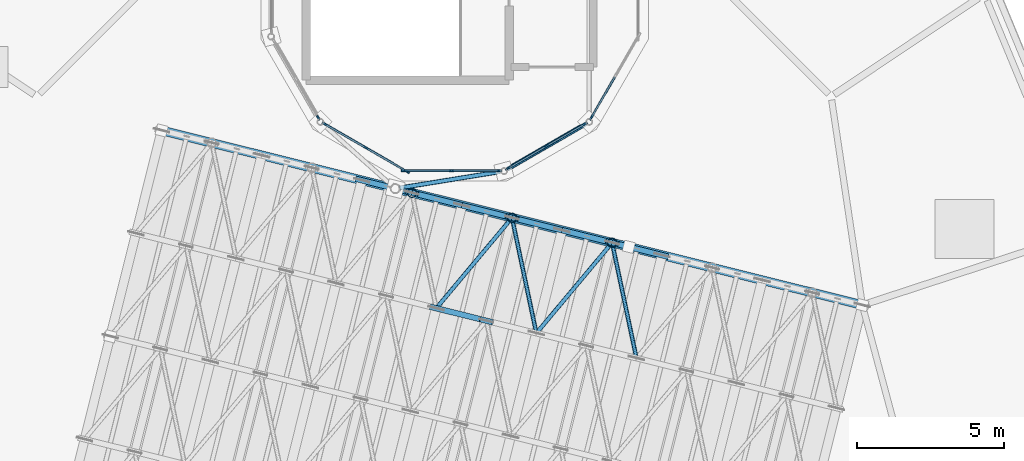
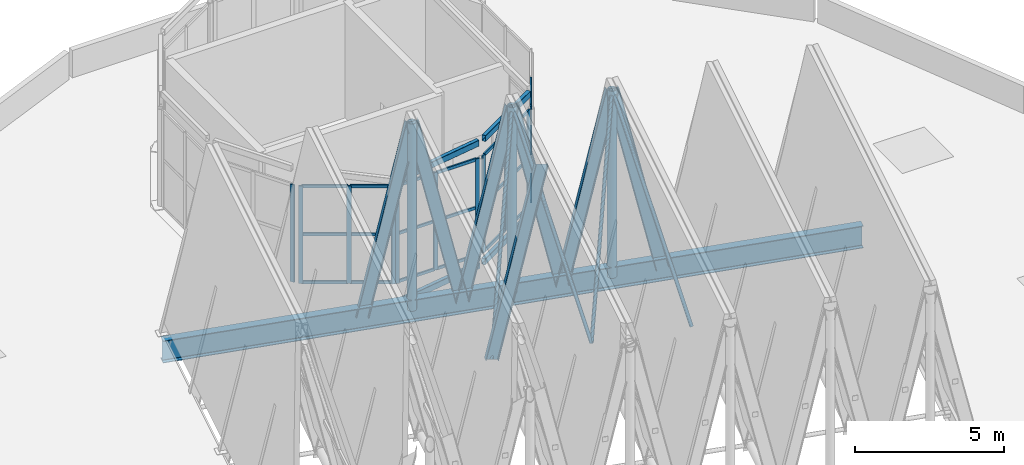
# One storey, part 13 of 51: 46 members, 5 beams, 5 elements without a shape of their own.
"""IFC4 building model written with IfcOpenShell, lengths in metres."""

from ifc_helpers import new_model, si_unit, direction, frame, origin, origin_2d, place, context, subcontext, project, spatial, rectangle, hollow_rectangle, hollow_circle, i_section, extrude, material, material_profile, profile_set, type_object, element, aggregate, save


model = new_model("IFC4")

# Units and contexts
model_context = context("Model", 3, precision=1e-05, world=origin(), true_north=direction((0.0, 1.0)))
body_context = subcontext(model_context, "Body", "Model", "MODEL_VIEW")
ifc_project = project(units=[si_unit("LENGTHUNIT", "METRE"), si_unit("AREAUNIT", "SQUARE_METRE"), si_unit("VOLUMEUNIT", "CUBIC_METRE"), si_unit("PLANEANGLEUNIT", "RADIAN"), si_unit("MASSUNIT", "GRAM", prefix="KILO")], contexts=[model_context])

# Site, building, storey
site_placement = place(None, origin())
site = spatial("IfcSite", under=ifc_project, at=site_placement, CompositionType="ELEMENT")
building_placement = place(site_placement, origin())
building = spatial("IfcBuilding", under=site, at=building_placement, Name="Wrenclough Park School", CompositionType="ELEMENT")
storey_placement = place(building_placement, frame((0.0, 0.0, 16.800048828125)))
storey = spatial("IfcBuildingStorey", under=building, at=storey_placement, Name="L04", CompositionType="ELEMENT", Elevation=16.800048828125)

# Curtain wall, member
ifc_material_1 = material(Name="Thermally broken aluminium and low-e glass curtain wall", Category="aluminium")
curtain_wall_type = type_object("IfcCurtainWallType", Name="ENV-CW-16", PredefinedType="USERDEFINED", material=ifc_material_1)
curtain_wall_1_placement = place(storey_placement, origin())
curtain_wall_1 = element("IfcCurtainWall", 1, at=curtain_wall_1_placement, inside=storey, type_object=curtain_wall_type, Name="D1-SH cylindrical white-glazed stair-head curtain wall 184", ObjectType="CURTAIN WALL", PredefinedType="USERDEFINED")
ifc_material_2 = material(Name="Thermally broken anodised aluminium", Category="aluminium")
ifc_material_profile_1 = material_profile(ifc_material_2, rectangle(XDim=0.06005859375, YDim=0.159912109375, at=origin_2d()), Name="AL MULLION 60x160")
ifc_profile_set_1 = profile_set([ifc_material_profile_1], Name="Thermally broken anodised aluminium")
member_type_1 = type_object("IfcMemberType", Name="ENV-CWM-1", PredefinedType="MULLION", material=ifc_profile_set_1)
member_1_placement = place(storey_placement, frame((151.572265625, 34.77880859375, 0.0), z_axis=(0.0, 0.0, 1.0), x_axis=(0.866023907196, 0.500002592159, 0.0)))
member_1 = element("IfcMember", 2, at=member_1_placement, type_object=member_type_1, Name="CW-16 mullion 3", PredefinedType="MULLION", context=body_context, shape_type="SweptSolid", body=[
    extrude(rectangle(XDim=0.06005859375, YDim=0.159912109375, at=origin_2d()), origin(), (0.0, 0.0, 1.0), 4.0),
])
aggregate(curtain_wall_1, [member_1])

# Curtain wall, members
curtain_wall_2_placement = place(storey_placement, origin())
curtain_wall_2 = element("IfcCurtainWall", 3, at=curtain_wall_2_placement, inside=storey, type_object=curtain_wall_type, Name="D1-SH cylindrical white-glazed stair-head curtain wall 185", ObjectType="CURTAIN WALL", PredefinedType="USERDEFINED")
member_2_placement = place(storey_placement, frame((151.77880859375, 34.572265625, 0.0), z_axis=(0.0, 0.0, 1.0), x_axis=(0.500014931062, 0.86601678316, 0.0)))
member_2 = element("IfcMember", 4, at=member_2_placement, type_object=member_type_1, Name="CW-16 mullion 1", PredefinedType="MULLION", context=body_context, shape_type="SweptSolid", body=[
    extrude(rectangle(XDim=0.06005859375, YDim=0.159912109375, at=origin_2d()), origin(), (0.0, 0.0, 1.0), 4.0),
])
member_3_placement = place(storey_placement, frame((153.183837890625, 33.760986328125, 0.0), z_axis=(0.0, 0.0, 1.0), x_axis=(0.500014931062, 0.86601678316, 0.0)))
member_3 = element("IfcMember", 5, at=member_3_placement, type_object=member_type_1, Name="CW-16 mullion 2", PredefinedType="MULLION", context=body_context, shape_type="SweptSolid", body=[
    extrude(rectangle(XDim=0.06005859375, YDim=0.159912109375, at=origin_2d()), origin(), (0.0, 0.0, 1.0), 4.0),
])
member_4_placement = place(storey_placement, frame((154.589111328125, 32.94970703125, 0.0), z_axis=(0.0, 0.0, 1.0), x_axis=(0.500014931062, 0.86601678316, 0.0)))
member_4 = element("IfcMember", 6, at=member_4_placement, type_object=member_type_1, Name="CW-16 mullion 3", PredefinedType="MULLION", context=body_context, shape_type="SweptSolid", body=[
    extrude(rectangle(XDim=0.06005859375, YDim=0.159912109375, at=origin_2d()), origin(), (0.0, 0.0, 1.0), 4.0),
])

curtain_wall_3_placement = place(storey_placement, origin())
curtain_wall_3 = element("IfcCurtainWall", 7, at=curtain_wall_3_placement, inside=storey, type_object=curtain_wall_type, Name="D1-SH cylindrical white-glazed stair-head curtain wall 186", ObjectType="CURTAIN WALL", PredefinedType="USERDEFINED")
member_5_placement = place(storey_placement, frame((154.469970703125, 32.981689453125, 0.0), z_axis=(0.0, 0.0, 1.0), x_axis=(0.0, 1.0, 0.0)))
member_5 = element("IfcMember", 8, at=member_5_placement, type_object=member_type_1, Name="CW-16 mullion 1", PredefinedType="MULLION", context=body_context, shape_type="SweptSolid", body=[
    extrude(rectangle(XDim=0.06005859375, YDim=0.159912109375, at=origin_2d()), origin(), (0.0, 0.0, 1.0), 4.0),
])
member_6_placement = place(storey_placement, frame((156.09228515625, 32.981689453125, 0.0), z_axis=(0.0, 0.0, 1.0), x_axis=(0.0, 1.0, 0.0)))
member_6 = element("IfcMember", 9, at=member_6_placement, type_object=member_type_1, Name="CW-16 mullion 2", PredefinedType="MULLION", context=body_context, shape_type="SweptSolid", body=[
    extrude(rectangle(XDim=0.06005859375, YDim=0.159912109375, at=origin_2d()), origin(), (0.0, 0.0, 1.0), 4.0),
])
member_7_placement = place(storey_placement, frame((157.714599609375, 32.981689453125, 0.0), z_axis=(0.0, 0.0, 1.0), x_axis=(0.0, 1.0, 0.0)))
member_7 = element("IfcMember", 10, at=member_7_placement, type_object=member_type_1, Name="CW-16 mullion 3", PredefinedType="MULLION", context=body_context, shape_type="SweptSolid", body=[
    extrude(rectangle(XDim=0.06005859375, YDim=0.159912109375, at=origin_2d()), origin(), (0.0, 0.0, 1.0), 4.0),
])

curtain_wall_4_placement = place(storey_placement, origin())
curtain_wall_4 = element("IfcCurtainWall", 11, at=curtain_wall_4_placement, inside=storey, type_object=curtain_wall_type, Name="D1-SH cylindrical white-glazed stair-head curtain wall 187", ObjectType="CURTAIN WALL", PredefinedType="USERDEFINED")
member_8_placement = place(storey_placement, frame((157.9970703125, 33.057373046875, 0.0), z_axis=(0.0, 0.0, 1.0), x_axis=(-0.500002592159, 0.866023907196, 0.0)))
member_8 = element("IfcMember", 12, at=member_8_placement, type_object=member_type_1, Name="CW-16 mullion 1", PredefinedType="MULLION", context=body_context, shape_type="SweptSolid", body=[
    extrude(rectangle(XDim=0.06005859375, YDim=0.159912109375, at=origin_2d()), origin(), (0.0, 0.0, 1.0), 4.0),
])
member_9_placement = place(storey_placement, frame((159.30908203125, 33.814697265625, 0.0), z_axis=(0.0, 0.0, 1.0), x_axis=(-0.500002592159, 0.866023907196, 0.0)))
member_9 = element("IfcMember", 13, at=member_9_placement, type_object=member_type_1, Name="CW-16 mullion 2", PredefinedType="MULLION", context=body_context, shape_type="SweptSolid", body=[
    extrude(rectangle(XDim=0.06005859375, YDim=0.159912109375, at=origin_2d()), origin(), (0.0, 0.0, 1.0), 4.0),
])
member_10_placement = place(storey_placement, frame((160.62109375, 34.572265625, 0.0), z_axis=(0.0, 0.0, 1.0), x_axis=(-0.500002592159, 0.866023907196, 0.0)))
member_10 = element("IfcMember", 14, at=member_10_placement, type_object=member_type_1, Name="CW-16 mullion 3", PredefinedType="MULLION", context=body_context, shape_type="SweptSolid", body=[
    extrude(rectangle(XDim=0.06005859375, YDim=0.159912109375, at=origin_2d()), origin(), (0.0, 0.0, 1.0), 4.0),
])

# Curtain wall, member
curtain_wall_5_placement = place(storey_placement, origin())
curtain_wall_5 = element("IfcCurtainWall", 15, at=curtain_wall_5_placement, inside=storey, type_object=curtain_wall_type, Name="D1-SH cylindrical white-glazed stair-head curtain wall 188", ObjectType="CURTAIN WALL", PredefinedType="USERDEFINED")
member_11_placement = place(storey_placement, frame((160.82763671875, 34.77880859375, 0.0), z_axis=(0.0, 0.0, 1.0), x_axis=(-0.86601678316, 0.500014931062, 0.0)))
member_11 = element("IfcMember", 16, at=member_11_placement, type_object=member_type_1, Name="CW-16 mullion 1", PredefinedType="MULLION", context=body_context, shape_type="SweptSolid", body=[
    extrude(rectangle(XDim=0.06005859375, YDim=0.159912109375, at=origin_2d()), origin(), (0.0, 0.0, 1.0), 4.0),
])

# Member
ifc_material_profile_2 = material_profile(ifc_material_2, rectangle(XDim=0.06005859375, YDim=0.1201171875, at=origin_2d()), Name="AL TRANSOM 60x120")
ifc_profile_set_2 = profile_set([ifc_material_profile_2], Name="Thermally broken anodised aluminium")
member_type_2 = type_object("IfcMemberType", Name="ENV-CWT-1", PredefinedType="USERDEFINED", material=ifc_profile_set_2)
member_12_placement = place(storey_placement, frame((151.804931640625, 34.557373046875, 0.030029296875), z_axis=(0.866003425329, -0.50003806587, 0.0), x_axis=(0.50003806587, 0.866003425329, 0.0)))
member_12 = element("IfcMember", 17, at=member_12_placement, type_object=member_type_2, Name="CW-16 transom 1.1", ObjectType="TRANSOM", PredefinedType="USERDEFINED", context=body_context, shape_type="SweptSolid", body=[
    extrude(rectangle(XDim=0.06005859375, YDim=0.1201171875, at=origin_2d()), origin(), (0.0, 0.0, 1.0), 1.5625),
])

member_13_placement = place(storey_placement, frame((151.804931640625, 34.557373046875, 2.0), z_axis=(0.866003425329, -0.50003806587, 0.0), x_axis=(0.50003806587, 0.866003425329, 0.0)))
member_13 = element("IfcMember", 18, at=member_13_placement, type_object=member_type_2, Name="CW-16 transom 1.2", ObjectType="TRANSOM", PredefinedType="USERDEFINED", context=body_context, shape_type="SweptSolid", body=[
    extrude(rectangle(XDim=0.06005859375, YDim=0.1201171875, at=origin_2d()), origin(), (0.0, 0.0, 1.0), 1.5625),
])

member_14_placement = place(storey_placement, frame((151.804931640625, 34.557373046875, 3.969970703125), z_axis=(0.866003425329, -0.50003806587, 0.0), x_axis=(0.50003806587, 0.866003425329, 0.0)))
member_14 = element("IfcMember", 19, at=member_14_placement, type_object=member_type_2, Name="CW-16 transom 1.3", ObjectType="TRANSOM", PredefinedType="USERDEFINED", context=body_context, shape_type="SweptSolid", body=[
    extrude(rectangle(XDim=0.06005859375, YDim=0.1201171875, at=origin_2d()), origin(), (0.0, 0.0, 1.0), 1.5625),
])

member_15_placement = place(storey_placement, frame((153.2099609375, 33.74609375, 0.030029296875), z_axis=(0.866003425329, -0.50003806587, 0.0), x_axis=(0.50003806587, 0.866003425329, 0.0)))
member_15 = element("IfcMember", 20, at=member_15_placement, type_object=member_type_2, Name="CW-16 transom 2.1", ObjectType="TRANSOM", PredefinedType="USERDEFINED", context=body_context, shape_type="SweptSolid", body=[
    extrude(rectangle(XDim=0.06005859375, YDim=0.1201171875, at=origin_2d()), origin(), (0.0, 0.0, 1.0), 1.5625),
])

member_16_placement = place(storey_placement, frame((153.2099609375, 33.74609375, 2.0), z_axis=(0.866003425329, -0.50003806587, 0.0), x_axis=(0.50003806587, 0.866003425329, 0.0)))
member_16 = element("IfcMember", 21, at=member_16_placement, type_object=member_type_2, Name="CW-16 transom 2.2", ObjectType="TRANSOM", PredefinedType="USERDEFINED", context=body_context, shape_type="SweptSolid", body=[
    extrude(rectangle(XDim=0.06005859375, YDim=0.1201171875, at=origin_2d()), origin(), (0.0, 0.0, 1.0), 1.5625),
])

member_17_placement = place(storey_placement, frame((153.2099609375, 33.74609375, 3.969970703125), z_axis=(0.866003425329, -0.50003806587, 0.0), x_axis=(0.50003806587, 0.866003425329, 0.0)))
member_17 = element("IfcMember", 22, at=member_17_placement, type_object=member_type_2, Name="CW-16 transom 2.3", ObjectType="TRANSOM", PredefinedType="USERDEFINED", context=body_context, shape_type="SweptSolid", body=[
    extrude(rectangle(XDim=0.06005859375, YDim=0.1201171875, at=origin_2d()), origin(), (0.0, 0.0, 1.0), 1.5625),
])

aggregate(curtain_wall_2, [member_2, member_3, member_4, member_12, member_13, member_14, member_15, member_16, member_17])

member_18_placement = place(storey_placement, frame((154.5, 32.981689453125, 0.030029296875), z_axis=(1.0, 0.0, 0.0), x_axis=(0.0, 1.0, 0.0)))
member_18 = element("IfcMember", 23, at=member_18_placement, type_object=member_type_2, Name="CW-16 transom 1.1", ObjectType="TRANSOM", PredefinedType="USERDEFINED", context=body_context, shape_type="SweptSolid", body=[
    extrude(rectangle(XDim=0.06005859375, YDim=0.1201171875, at=origin_2d()), origin(), (0.0, 0.0, 1.0), 1.562255859375),
])

member_19_placement = place(storey_placement, frame((154.5, 32.981689453125, 2.0), z_axis=(1.0, 0.0, 0.0), x_axis=(0.0, 1.0, 0.0)))
member_19 = element("IfcMember", 24, at=member_19_placement, type_object=member_type_2, Name="CW-16 transom 1.2", ObjectType="TRANSOM", PredefinedType="USERDEFINED", context=body_context, shape_type="SweptSolid", body=[
    extrude(rectangle(XDim=0.06005859375, YDim=0.1201171875, at=origin_2d()), origin(), (0.0, 0.0, 1.0), 1.562255859375),
])

member_20_placement = place(storey_placement, frame((154.5, 32.981689453125, 3.969970703125), z_axis=(1.0, 0.0, 0.0), x_axis=(0.0, 1.0, 0.0)))
member_20 = element("IfcMember", 25, at=member_20_placement, type_object=member_type_2, Name="CW-16 transom 1.3", ObjectType="TRANSOM", PredefinedType="USERDEFINED", context=body_context, shape_type="SweptSolid", body=[
    extrude(rectangle(XDim=0.06005859375, YDim=0.1201171875, at=origin_2d()), origin(), (0.0, 0.0, 1.0), 1.562255859375),
])

member_21_placement = place(storey_placement, frame((156.122314453125, 32.981689453125, 0.030029296875), z_axis=(1.0, 0.0, 0.0), x_axis=(0.0, 1.0, 0.0)))
member_21 = element("IfcMember", 26, at=member_21_placement, type_object=member_type_2, Name="CW-16 transom 2.1", ObjectType="TRANSOM", PredefinedType="USERDEFINED", context=body_context, shape_type="SweptSolid", body=[
    extrude(rectangle(XDim=0.06005859375, YDim=0.1201171875, at=origin_2d()), origin(), (0.0, 0.0, 1.0), 1.562255859375),
])

member_22_placement = place(storey_placement, frame((156.122314453125, 32.981689453125, 2.0), z_axis=(1.0, 0.0, 0.0), x_axis=(0.0, 1.0, 0.0)))
member_22 = element("IfcMember", 27, at=member_22_placement, type_object=member_type_2, Name="CW-16 transom 2.2", ObjectType="TRANSOM", PredefinedType="USERDEFINED", context=body_context, shape_type="SweptSolid", body=[
    extrude(rectangle(XDim=0.06005859375, YDim=0.1201171875, at=origin_2d()), origin(), (0.0, 0.0, 1.0), 1.562255859375),
])

member_23_placement = place(storey_placement, frame((156.122314453125, 32.981689453125, 3.969970703125), z_axis=(1.0, 0.0, 0.0), x_axis=(0.0, 1.0, 0.0)))
member_23 = element("IfcMember", 28, at=member_23_placement, type_object=member_type_2, Name="CW-16 transom 2.3", ObjectType="TRANSOM", PredefinedType="USERDEFINED", context=body_context, shape_type="SweptSolid", body=[
    extrude(rectangle(XDim=0.06005859375, YDim=0.1201171875, at=origin_2d()), origin(), (0.0, 0.0, 1.0), 1.562255859375),
])

aggregate(curtain_wall_3, [member_5, member_6, member_7, member_18, member_19, member_20, member_21, member_22, member_23])

member_24_placement = place(storey_placement, frame((158.02294921875, 33.072265625, 0.030029296875), z_axis=(0.866045896294, 0.499964504253, 0.0), x_axis=(-0.499964504253, 0.866045896294, 0.0)))
member_24 = element("IfcMember", 29, at=member_24_placement, type_object=member_type_2, Name="CW-16 transom 1.1", ObjectType="TRANSOM", PredefinedType="USERDEFINED", context=body_context, shape_type="SweptSolid", body=[
    extrude(rectangle(XDim=0.06005859375, YDim=0.1201171875, at=origin_2d()), origin(), (0.0, 0.0, 1.0), 1.455078125),
])

member_25_placement = place(storey_placement, frame((158.02294921875, 33.072265625, 2.0), z_axis=(0.866045896294, 0.499964504253, 0.0), x_axis=(-0.499964504253, 0.866045896294, 0.0)))
member_25 = element("IfcMember", 30, at=member_25_placement, type_object=member_type_2, Name="CW-16 transom 1.2", ObjectType="TRANSOM", PredefinedType="USERDEFINED", context=body_context, shape_type="SweptSolid", body=[
    extrude(rectangle(XDim=0.06005859375, YDim=0.1201171875, at=origin_2d()), origin(), (0.0, 0.0, 1.0), 1.455078125),
])

member_26_placement = place(storey_placement, frame((158.02294921875, 33.072265625, 3.969970703125), z_axis=(0.866045896294, 0.499964504253, 0.0), x_axis=(-0.499964504253, 0.866045896294, 0.0)))
member_26 = element("IfcMember", 31, at=member_26_placement, type_object=member_type_2, Name="CW-16 transom 1.3", ObjectType="TRANSOM", PredefinedType="USERDEFINED", context=body_context, shape_type="SweptSolid", body=[
    extrude(rectangle(XDim=0.06005859375, YDim=0.1201171875, at=origin_2d()), origin(), (0.0, 0.0, 1.0), 1.455078125),
])

member_27_placement = place(storey_placement, frame((159.3349609375, 33.829833984375, 0.030029296875), z_axis=(0.866045896294, 0.499964504253, 0.0), x_axis=(-0.499964504253, 0.866045896294, 0.0)))
member_27 = element("IfcMember", 32, at=member_27_placement, type_object=member_type_2, Name="CW-16 transom 2.1", ObjectType="TRANSOM", PredefinedType="USERDEFINED", context=body_context, shape_type="SweptSolid", body=[
    extrude(rectangle(XDim=0.06005859375, YDim=0.1201171875, at=origin_2d()), origin(), (0.0, 0.0, 1.0), 1.455078125),
])

member_28_placement = place(storey_placement, frame((159.3349609375, 33.829833984375, 2.0), z_axis=(0.866045896294, 0.499964504253, 0.0), x_axis=(-0.499964504253, 0.866045896294, 0.0)))
member_28 = element("IfcMember", 33, at=member_28_placement, type_object=member_type_2, Name="CW-16 transom 2.2", ObjectType="TRANSOM", PredefinedType="USERDEFINED", context=body_context, shape_type="SweptSolid", body=[
    extrude(rectangle(XDim=0.06005859375, YDim=0.1201171875, at=origin_2d()), origin(), (0.0, 0.0, 1.0), 1.455078125),
])

member_29_placement = place(storey_placement, frame((159.3349609375, 33.829833984375, 3.969970703125), z_axis=(0.866045896294, 0.499964504253, 0.0), x_axis=(-0.499964504253, 0.866045896294, 0.0)))
member_29 = element("IfcMember", 34, at=member_29_placement, type_object=member_type_2, Name="CW-16 transom 2.3", ObjectType="TRANSOM", PredefinedType="USERDEFINED", context=body_context, shape_type="SweptSolid", body=[
    extrude(rectangle(XDim=0.06005859375, YDim=0.1201171875, at=origin_2d()), origin(), (0.0, 0.0, 1.0), 1.455078125),
])

aggregate(curtain_wall_4, [member_8, member_9, member_10, member_24, member_25, member_26, member_27, member_28, member_29])

member_30_placement = place(storey_placement, frame((160.8427734375, 34.804931640625, 0.030029296875), z_axis=(0.50003806587, 0.866003425329, 0.0), x_axis=(-0.866003425329, 0.50003806587, 0.0)))
member_30 = element("IfcMember", 35, at=member_30_placement, type_object=member_type_2, Name="CW-16 transom 1.1", ObjectType="TRANSOM", PredefinedType="USERDEFINED", context=body_context, shape_type="SweptSolid", body=[
    extrude(rectangle(XDim=0.06005859375, YDim=0.1201171875, at=origin_2d()), origin(), (0.0, 0.0, 1.0), 1.5625),
])

member_31_placement = place(storey_placement, frame((160.8427734375, 34.804931640625, 2.0), z_axis=(0.50003806587, 0.866003425329, 0.0), x_axis=(-0.866003425329, 0.50003806587, 0.0)))
member_31 = element("IfcMember", 36, at=member_31_placement, type_object=member_type_2, Name="CW-16 transom 1.2", ObjectType="TRANSOM", PredefinedType="USERDEFINED", context=body_context, shape_type="SweptSolid", body=[
    extrude(rectangle(XDim=0.06005859375, YDim=0.1201171875, at=origin_2d()), origin(), (0.0, 0.0, 1.0), 1.5625),
])

member_32_placement = place(storey_placement, frame((160.8427734375, 34.804931640625, 3.969970703125), z_axis=(0.50003806587, 0.866003425329, 0.0), x_axis=(-0.866003425329, 0.50003806587, 0.0)))
member_32 = element("IfcMember", 37, at=member_32_placement, type_object=member_type_2, Name="CW-16 transom 1.3", ObjectType="TRANSOM", PredefinedType="USERDEFINED", context=body_context, shape_type="SweptSolid", body=[
    extrude(rectangle(XDim=0.06005859375, YDim=0.1201171875, at=origin_2d()), origin(), (0.0, 0.0, 1.0), 1.5625),
])

aggregate(curtain_wall_5, [member_11, member_30, member_31, member_32])

# Beams
ifc_material_3 = material(Name="Structural steel S355", Category="steel")
ifc_material_profile_3 = material_profile(ifc_material_3, hollow_rectangle(XDim=0.14990234375, YDim=0.25, WallThickness=0.010009765625, InnerFilletRadius=0.010009765625, OuterFilletRadius=0.014892578125, at=origin_2d()), Name="RHS 250x150x10.0")
ifc_profile_set_3 = profile_set([ifc_material_profile_3], Name="Structural steel S355")
beam_type_1 = type_object("IfcBeamType", Name="STR-BM-RHS250", PredefinedType="SPANDREL", material=ifc_profile_set_3)
beam_1_placement = place(storey_placement, frame((154.333251953125, 32.398681640625, -0.364990234375), z_axis=(0.987203782814, 0.159463761392, 0.0), x_axis=(-0.159463761392, 0.987203782814, 0.0)))
element("IfcBeam", 38, at=beam_1_placement, inside=storey, type_object=beam_type_1, Name="D1-SH L04 cylindrical ring beam 8", PredefinedType="SPANDREL", context=body_context, shape_type="SweptSolid", body=[
    extrude(hollow_rectangle(XDim=0.14990234375, YDim=0.25, WallThickness=0.010009765625, InnerFilletRadius=0.010009765625, OuterFilletRadius=0.014892578125, at=origin_2d()), origin(), (0.0, 0.0, 1.0), 3.450927734375),
])
beam_2_placement = place(storey_placement, frame((154.337890625, 32.3994140625, 4.679931640625), z_axis=(0.987204140673, 0.159461545953, 0.0), x_axis=(-0.159461545953, 0.987204140673, 0.0)))
element("IfcBeam", 39, at=beam_2_placement, inside=storey, type_object=beam_type_1, Name="D1-SH L05 top cylindrical eave ring beam 8", PredefinedType="SPANDREL", context=body_context, shape_type="SweptSolid", body=[
    extrude(hollow_rectangle(XDim=0.14990234375, YDim=0.25, WallThickness=0.010009765625, InnerFilletRadius=0.010009765625, OuterFilletRadius=0.014892578125, at=origin_2d()), origin(), (0.0, 0.0, 1.0), 3.417236328125),
])
beam_3_placement = place(storey_placement, frame((157.98291015625, 33.035400390625, -0.364990234375), z_axis=(0.866012465712, 0.500022408728, 0.0), x_axis=(-0.500022408728, 0.866012465712, 0.0)))
element("IfcBeam", 40, at=beam_3_placement, inside=storey, type_object=beam_type_1, Name="D1-SH L04 cylindrical ring beam 9", PredefinedType="SPANDREL", context=body_context, shape_type="SweptSolid", body=[
    extrude(hollow_rectangle(XDim=0.14990234375, YDim=0.25, WallThickness=0.010009765625, InnerFilletRadius=0.010009765625, OuterFilletRadius=0.014892578125, at=origin_2d()), origin(), (0.0, 0.0, 1.0), 3.076416015625),
])
beam_4_placement = place(storey_placement, frame((158.008056640625, 33.0498046875, 4.679931640625), z_axis=(0.8660347431, 0.499983823482, 0.0), x_axis=(-0.499983823482, 0.8660347431, 0.0)))
element("IfcBeam", 41, at=beam_4_placement, inside=storey, type_object=beam_type_1, Name="D1-SH L05 top cylindrical eave ring beam 9", PredefinedType="SPANDREL", context=body_context, shape_type="SweptSolid", body=[
    extrude(hollow_rectangle(XDim=0.14990234375, YDim=0.25, WallThickness=0.010009765625, InnerFilletRadius=0.010009765625, OuterFilletRadius=0.014892578125, at=origin_2d()), origin(), (0.0, 0.0, 1.0), 3.0185546875),
])
ifc_material_profile_4 = material_profile(ifc_material_3, i_section(OverallWidth=0.30419921875, OverallDepth=0.910400390625, WebThickness=0.015869140625, FlangeThickness=0.02392578125, FilletRadius=0.01904296875, at=origin_2d()), Name="UKB 914x305x224")
ifc_profile_set_4 = profile_set([ifc_material_profile_4], Name="Structural steel S355")
beam_type_2 = type_object("IfcBeamType", Name="STR-BM-UKB914", PredefinedType="BEAM", material=ifc_profile_set_4)
beam_5_placement = place(storey_placement, frame((170.028076171875, 28.422607421875, -0.68017578125), z_axis=(-0.97029705088, 0.241916582839, 0.0), x_axis=(-0.241916582839, -0.97029705088, 0.0)))
element("IfcBeam", 42, at=beam_5_placement, inside=storey, type_object=beam_type_2, Name="D1 folded-plate roof ring beam 3", PredefinedType="BEAM", context=body_context, shape_type="SweptSolid", body=[
    extrude(i_section(OverallWidth=0.30419921875, OverallDepth=0.910400390625, WebThickness=0.015869140625, FlangeThickness=0.02392578125, FilletRadius=0.01904296875, at=origin_2d()), origin(), (0.0, 0.0, 1.0), 24.500244140625),
])

# Members
ifc_material_profile_5 = material_profile(ifc_material_3, hollow_circle(Radius=0.06982421875, WallThickness=0.008056640625, at=origin_2d()), Name="CHS 139.7x8.0")
ifc_profile_set_5 = profile_set([ifc_material_profile_5], Name="Structural steel S355")
member_type_3 = type_object("IfcMemberType", Name="STR-MEM-BRACE1", PredefinedType="BRACE", material=ifc_profile_set_5)
for number, where, z_axis, x_axis, name in (
    (43, (155.572998046875, 28.31640625, -0.68017578125), (0.296538189213, 0.35434087179, 0.886852664718), (-0.766884728376, 0.641784865344, 0.0), "D1 folded-plane diagonal brace 4.4L"),
    (44, (158.968994140625, 27.4697265625, -0.68017578125), (-0.095482951878, 0.452078521568, 0.88685287181), (-0.978414967241, -0.206649829126, 0.0), "D1 folded-plane diagonal brace 4.4R"),
    (45, (158.968994140625, 27.4697265625, -0.68017578125), (0.296538189213, 0.35434087179, 0.886852664718), (-0.766884728376, 0.641784865344, 0.0), "D1 folded-plane diagonal brace 5.4L"),
    (46, (162.364990234375, 26.623046875, -0.68017578125), (-0.095482951878, 0.452078521568, 0.88685287181), (-0.978414967241, -0.206649829126, 0.0), "D1 folded-plane diagonal brace 5.4R"),
):
    element("IfcMember", number, at=place(storey_placement, frame(where, z_axis=z_axis, x_axis=x_axis)), inside=storey, type_object=member_type_3, Name=name, PredefinedType="BRACE", context=body_context, shape_type="SweptSolid", body=[
        extrude(hollow_circle(Radius=0.06982421875, WallThickness=0.008056640625, at=origin_2d()), origin(), (0.0, 0.0, 1.0), 8.662841796875),
    ])
ifc_material_profile_6 = material_profile(ifc_material_3, hollow_circle(Radius=0.161865234375, WallThickness=0.01611328125, at=origin_2d()), Name="CHS 323.9x16.0")
ifc_profile_set_6 = profile_set([ifc_material_profile_6], Name="Structural steel S355")
member_type_4 = type_object("IfcMemberType", Name="STR-MEM-CHORD2", PredefinedType="CHORD", material=ifc_profile_set_6)
for number, where, z_axis, x_axis, name in (
    (47, (154.745849609375, 32.23291015625, -0.68017578125), (0.0, 0.0, 1.0), (1.0, 0.0, 0.0), "D1 folded-plate gable king-post 3N"),
    (48, (158.141845703125, 31.385986328125, -0.68017578125), (0.0, 0.0, 1.0), (1.0, 0.0, 0.0), "D1 folded-plate gable king-post 4N"),
    (49, (161.537841796875, 30.539306640625, -0.68017578125), (0.0, 0.0, 1.0), (1.0, 0.0, 0.0), "D1 folded-plate gable king-post 5N"),
):
    element("IfcMember", number, at=place(storey_placement, frame(where, z_axis=z_axis, x_axis=x_axis)), inside=storey, type_object=member_type_4, Name=name, PredefinedType="CHORD", context=body_context, shape_type="SweptSolid", body=[
        extrude(hollow_circle(Radius=0.161865234375, WallThickness=0.01611328125, at=origin_2d()), origin(), (0.0, 0.0, 1.0), 7.6826171875),
    ])
ifc_material_profile_7 = material_profile(ifc_material_3, i_section(OverallWidth=0.19140625, OverallDepth=0.4599609375, WebThickness=0.010009765625, FlangeThickness=0.01611328125, FilletRadius=0.01025390625, at=origin_2d()), Name="UKB 457x191x82")
ifc_profile_set_7 = profile_set([ifc_material_profile_7], Name="Structural steel S355")
member_type_5 = type_object("IfcMemberType", Name="STR-MEM-RAFTER1", PredefinedType="RAFTER", material=ifc_profile_set_7)
for number, where, z_axis, x_axis, name in (
    (50, (153.0478515625, 32.65625, -0.68017578125), (0.215498261419, -0.053727388253, 0.975025059717), (0.241911879182, 0.970298223594, 0.0), "D1 bay 3 frame 5 west rafter"),
    (51, (154.745849609375, 32.23291015625, 7.00244140625), (0.215498261419, -0.053727388253, -0.975025059717), (0.241911879182, 0.970298223594, 0.0), "D1 bay 3 frame 5 east rafter"),
    (52, (155.572998046875, 28.31640625, -0.68017578125), (0.215498261419, -0.053727388253, 0.975025059717), (0.241911879182, 0.970298223594, 0.0), "D1 bay 4 frame 4 west rafter"),
    (53, (156.44384765625, 31.8095703125, -0.68017578125), (0.215497902571, -0.053758283388, 0.975023436105), (0.242043219053, 0.970265468885, 0.0), "D1 bay 4 frame 5 west rafter"),
    (54, (158.141845703125, 31.385986328125, 7.00244140625), (0.215498620062, -0.053696492964, -0.975026682401), (0.241780526013, 0.970330962734, 0.0), "D1 bay 4 frame 5 east rafter"),
    (55, (159.83984375, 30.962890625, -0.68017578125), (0.215497902571, -0.053758283388, 0.975023436105), (0.242043219053, 0.970265468885, 0.0), "D1 bay 5 frame 5 west rafter"),
    (56, (161.537841796875, 30.539306640625, 7.00244140625), (0.215498261419, -0.053727388253, -0.975025059717), (0.241911879182, 0.970298223594, 0.0), "D1 bay 5 frame 5 east rafter"),
):
    element("IfcMember", number, at=place(storey_placement, frame(where, z_axis=z_axis, x_axis=x_axis)), inside=storey, type_object=member_type_5, Name=name, PredefinedType="RAFTER", context=body_context, shape_type="SweptSolid", body=[
        extrude(i_section(OverallWidth=0.19140625, OverallDepth=0.4599609375, WebThickness=0.010009765625, FlangeThickness=0.01611328125, FilletRadius=0.01025390625, at=origin_2d()), origin(), (0.0, 0.0, 1.0), 7.87939453125),
    ])

save(model, "model.ifc")
